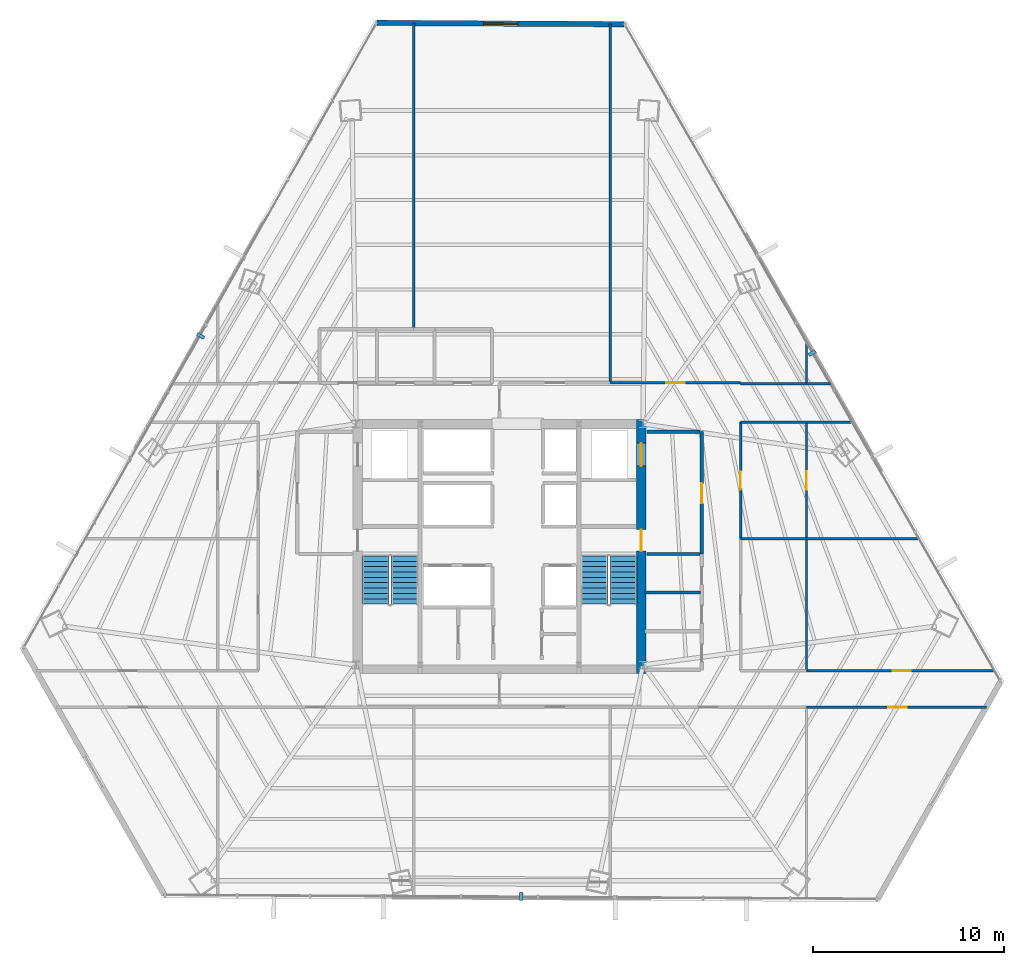
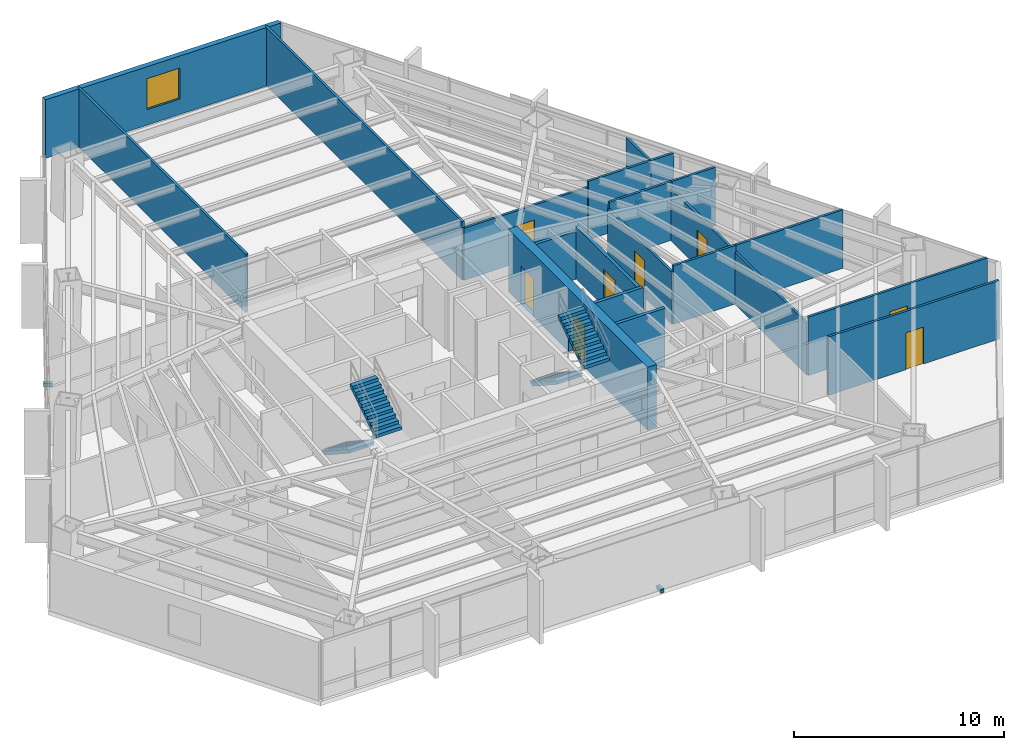
# One storey, part 32 of 35: 21 walls, 8 doors, 4 stair flights, 3 discrete accessories, 1 window, 9 openings, 2 elements without a shape of their own.
"""IFC4 building model written with IfcOpenShell, lengths in metres."""

from ifc_helpers import new_model, si_unit, direction, frame, frame_2d, origin, origin_2d, place, context, subcontext, project, spatial, polyline, rectangle, outline, extrude, source, transform, mapped, material, layer, layer_set, type_object, type_shapes, element, fill, aggregate, save


model = new_model("IFC4")

# Units and contexts
model_context = context("Model", 3, precision=1e-05, world=origin(), true_north=direction((0.0, 1.0)))
body_context = subcontext(model_context, "Body", "Model", "MODEL_VIEW")
ifc_project = project(units=[si_unit("LENGTHUNIT", "METRE"), si_unit("AREAUNIT", "SQUARE_METRE"), si_unit("VOLUMEUNIT", "CUBIC_METRE"), si_unit("PLANEANGLEUNIT", "RADIAN"), si_unit("MASSUNIT", "GRAM", prefix="KILO")], contexts=[model_context])

# Site, building, storey
site_placement = place(None, origin())
site = spatial("IfcSite", under=ifc_project, at=site_placement, CompositionType="ELEMENT")
building_placement = place(site_placement, origin())
building = spatial("IfcBuilding", under=site, at=building_placement, Name="Caelisora Broadcast Tower", CompositionType="ELEMENT")
storey_placement = place(building_placement, frame((0.0, 0.0, 90.800048828125)))
storey = spatial("IfcBuildingStorey", under=building, at=storey_placement, Name="L23", CompositionType="ELEMENT", Elevation=90.800048828125)

# Wall, openings, doors
ifc_material_1 = material(Name="Concrete 50 MPa (AS 3600 S50)", Category="concrete")
ifc_layer_1 = layer(ifc_material_1, 0.5, Name="Concrete 50 MPa (AS 3600 S50)")
ifc_layer_set_1 = layer_set([ifc_layer_1], Name="Concrete 50 MPa (AS 3600 S50)")
wall_type_1 = type_object("IfcWallType", Name="CW2", PredefinedType="SHEAR", material=ifc_layer_set_1)
wall_1_placement = place(storey_placement, frame((45.409912109375, 16.949951171875, 0.0), z_axis=(0.0, 0.0, 1.0), x_axis=(0.0, 1.0, 0.0)))
wall_1 = element("IfcWall", 1, at=wall_1_placement, inside=storey, type_object=wall_type_1, Name="L23 core shear wall CW2", PredefinedType="SHEAR", context=body_context, shape_type="SweptSolid", body=[
    extrude(rectangle(XDim=13.275146484375, YDim=0.5, at=frame_2d((6.6376953125, 0.0))), origin(), (0.0, 0.0, 1.0), 3.64990234375),
])
opening_1_placement = place(wall_1_placement, frame((6.39990234375, 0.0, 0.0)))
opening_1 = element("IfcOpeningElement", 2, at=opening_1_placement, cuts=wall_1, Name="Opening FD04", PredefinedType="OPENING", context=body_context, shape_type="SweptSolid", body=[
    extrude(rectangle(XDim=1.1201171875, YDim=2.14990234375, at=frame_2d((0.56005859375, 1.074951171875))), frame((0.0, 0.261962890625, 0.0), z_axis=(0.0, -1.0, 0.0), x_axis=(1.0, 0.0, 0.0)), (0.0, 0.0, 1.0), 0.52392578125),
])
opening_2_placement = place(wall_1_placement, frame((10.85009765625, 0.0, 0.0)))
opening_2 = element("IfcOpeningElement", 3, at=opening_2_placement, cuts=wall_1, Name="Opening LD04", PredefinedType="OPENING", context=body_context, shape_type="SweptSolid", body=[
    extrude(rectangle(XDim=1.199951171875, YDim=2.199951171875, at=frame_2d((0.60009765625, 1.10009765625))), frame((0.0, 0.261962890625, 0.0), z_axis=(0.0, -1.0, 0.0), x_axis=(1.0, 0.0, 0.0)), (0.0, 0.0, 1.0), 0.52392578125),
])
ifc_material_2 = material(Name="Pressurised Fire-Isolated Stair Door", Category="steel")
door_type_1 = type_object("IfcDoorType", Name="FD04", OperationType="NOTDEFINED", PredefinedType="DOOR", material=ifc_material_2)
door_1_placement = place(opening_1_placement, origin())
door_1 = element("IfcDoor", 4, at=door_1_placement, inside=storey, type_object=door_type_1, Name="L23 door FD04 (L23-DR-ST2)", OperationType="SINGLE_SWING_RIGHT", OverallHeight=2.14990234375, OverallWidth=1.1201171875, PredefinedType="DOOR", context=body_context, shape_type="SweptSolid", body=[
    extrude(rectangle(XDim=1.1201171875, YDim=2.14990234375, at=frame_2d((0.56005859375, 1.074951171875))), frame((0.0, 0.02490234375, 0.0), z_axis=(0.0, -1.0, 0.0), x_axis=(1.0, 0.0, 0.0)), (0.0, 0.0, 1.0), 0.050048828125),
])
fill(opening_1, door_1)
ifc_material_3 = material(Name="Emergency Firefighting Lift Sliding Landing Door", Category="steel")
door_type_2 = type_object("IfcDoorType", Name="LD04", OperationType="NOTDEFINED", PredefinedType="DOOR", material=ifc_material_3)
door_2_placement = place(opening_2_placement, origin())
door_2 = element("IfcDoor", 5, at=door_2_placement, inside=storey, type_object=door_type_2, Name="L23 door LD04 (L23-LD-FFL2)", OperationType="SLIDING_TO_RIGHT", OverallHeight=2.199951171875, OverallWidth=1.199951171875, PredefinedType="DOOR", context=body_context, shape_type="SweptSolid", body=[
    extrude(rectangle(XDim=1.199951171875, YDim=2.199951171875, at=frame_2d((0.60009765625, 1.10009765625))), frame((0.0, 0.02490234375, 0.0), z_axis=(0.0, -1.0, 0.0), x_axis=(1.0, 0.0, 0.0)), (0.0, 0.0, 1.0), 0.050048828125),
])
fill(opening_2, door_2)

# Wall, opening, window
ifc_material_4 = material(Name="Insulated Terracotta Spandrel Wall System", Category="masonry")
ifc_layer_2 = layer(ifc_material_4, 0.280029296875, Name="Insulated Terracotta Spandrel Wall System")
ifc_layer_set_2 = layer_set([ifc_layer_2], Name="Insulated Terracotta Spandrel Wall System")
wall_type_2 = type_object("IfcWallType", Name="EW1", PredefinedType="STANDARD", material=ifc_layer_set_2)
wall_2_placement = place(storey_placement, frame((31.60693359375, 50.9677734375, 0.0), z_axis=(0.0, 0.0, 1.0), x_axis=(0.999984652182, -0.005540343073, 0.0)))
wall_2 = element("IfcWall", 6, at=wall_2_placement, inside=storey, type_object=wall_type_2, Name="L23 exterior envelope wall EW1", PredefinedType="STANDARD", context=body_context, shape_type="SweptSolid", body=[
    extrude(rectangle(XDim=12.911376953125, YDim=0.280029296875, at=frame_2d((6.45556640625, 0.0))), origin(), (0.0, 0.0, 1.0), 3.39990234375),
])
opening_3_placement = place(wall_2_placement, frame((5.56005859375, 0.0, 0.89990234375)))
opening_3 = element("IfcOpeningElement", 7, at=opening_3_placement, cuts=wall_2, Name="Opening W01", PredefinedType="OPENING", context=body_context, shape_type="SweptSolid", body=[
    extrude(rectangle(XDim=1.800048828125, YDim=1.800048828125, at=frame_2d((0.89990234375, 0.89990234375))), frame((0.0, 0.152099609375, 0.0), z_axis=(0.0, -1.0, 0.0), x_axis=(1.0, 0.0, 0.0)), (0.0, 0.0, 1.0), 0.303955078125),
])
ifc_material_5 = material(Name="Double Glazed Terracotta-Framed Vision Window", Category="glass")
window_type = type_object("IfcWindowType", Name="W01", PartitioningType="SINGLE_PANEL", PredefinedType="WINDOW", material=ifc_material_5)
window_placement = place(opening_3_placement, origin())
window = element("IfcWindow", 8, at=window_placement, inside=storey, type_object=window_type, Name="L23 window W01 (L23-WN-CH8)", OverallHeight=1.800048828125, OverallWidth=1.800048828125, PartitioningType="SINGLE_PANEL", PredefinedType="WINDOW", context=body_context, shape_type="SweptSolid", body=[
    extrude(rectangle(XDim=1.800048828125, YDim=1.800048828125, at=frame_2d((0.89990234375, 0.89990234375))), frame((0.0, 0.030029296875, 0.0), z_axis=(0.0, -1.0, 0.0), x_axis=(1.0, 0.0, 0.0)), (0.0, 0.0, 1.0), 0.06005859375),
])
fill(opening_3, window)

# Wall, opening, door
ifc_material_6 = material(Name="Fire-Rated Gypsum Shaft and Compartment Wall", Category="gypsum")
ifc_layer_3 = layer(ifc_material_6, 0.179931640625, Name="Fire-Rated Gypsum Shaft and Compartment Wall")
ifc_layer_set_3 = layer_set([ifc_layer_3], Name="Fire-Rated Gypsum Shaft and Compartment Wall")
wall_type_3 = type_object("IfcWallType", Name="PW2", PredefinedType="PARTITIONING", material=ifc_layer_set_3)
wall_3_placement = place(storey_placement, frame((48.580078125, 23.199951171875, 0.0), z_axis=(0.0, 0.0, 1.0), x_axis=(0.0, 1.0, 0.0)))
wall_3 = element("IfcWall", 9, at=wall_3_placement, inside=storey, type_object=wall_type_3, Name="L23 fire compartment wall PW2", PredefinedType="PARTITIONING", context=body_context, shape_type="SweptSolid", body=[
    extrude(rectangle(XDim=6.400146484375, YDim=0.179931640625, at=frame_2d((3.2001953125, 0.0))), origin(), (0.0, 0.0, 1.0), 3.0263671875),
])
opening_4_placement = place(wall_3_placement, frame((2.64990234375, 0.0, 0.0)))
opening_4 = element("IfcOpeningElement", 10, at=opening_4_placement, cuts=wall_3, Name="Opening FD02", PredefinedType="OPENING", context=body_context, shape_type="SweptSolid", body=[
    extrude(rectangle(XDim=1.050048828125, YDim=2.14990234375, at=frame_2d((0.52490234375, 1.074951171875))), frame((0.0, 0.10205078125, 0.0), z_axis=(0.0, -1.0, 0.0), x_axis=(1.0, 0.0, 0.0)), (0.0, 0.0, 1.0), 0.203857421875),
])
ifc_material_7 = material(Name="Single-Leaf Steel Fire Lobby Door", Category="steel")
door_type_3 = type_object("IfcDoorType", Name="FD02", OperationType="NOTDEFINED", PredefinedType="DOOR", material=ifc_material_7)
door_3_placement = place(opening_4_placement, origin())
door_3 = element("IfcDoor", 11, at=door_3_placement, inside=storey, type_object=door_type_3, Name="L23 door FD02 (L23-DR-P04D1)", OperationType="SINGLE_SWING_LEFT", OverallHeight=2.14990234375, OverallWidth=1.050048828125, PredefinedType="DOOR", context=body_context, shape_type="SweptSolid", body=[
    extrude(rectangle(XDim=1.050048828125, YDim=2.14990234375, at=frame_2d((0.52490234375, 1.074951171875))), frame((0.0, 0.02490234375, 0.0), z_axis=(0.0, -1.0, 0.0), x_axis=(1.0, 0.0, 0.0)), (0.0, 0.0, 1.0), 0.050048828125),
])
fill(opening_4, door_3)

# Walls
wall_4_placement = place(storey_placement, frame((45.719970703125, 23.199951171875, 0.0), z_axis=(0.0, 0.0, 1.0), x_axis=(1.0, 0.0, 0.0)))
element("IfcWall", 12, at=wall_4_placement, inside=storey, type_object=wall_type_3, Name="L23 fire compartment wall PW2", PredefinedType="PARTITIONING", context=body_context, shape_type="SweptSolid", body=[
    extrude(rectangle(XDim=2.760009765625, YDim=0.179931640625, at=frame_2d((1.3798828125, 0.0))), origin(), (0.0, 0.0, 1.0), 3.39990234375),
])
wall_5_placement = place(storey_placement, frame((45.719970703125, 29.60009765625, 0.0), z_axis=(0.0, 0.0, 1.0), x_axis=(1.0, 0.0, 0.0)))
element("IfcWall", 13, at=wall_5_placement, inside=storey, type_object=wall_type_3, Name="L23 fire compartment wall PW2", PredefinedType="PARTITIONING", context=body_context, shape_type="SweptSolid", body=[
    extrude(rectangle(XDim=2.760009765625, YDim=0.179931640625, at=frame_2d((1.3798828125, 0.0))), origin(), (0.0, 0.0, 1.0), 2.78271484375),
])
wall_6_placement = place(storey_placement, frame((45.6201171875, 21.18994140625, 0.0), z_axis=(0.0, 0.0, 1.0), x_axis=(1.0, 0.0, 0.0)))
element("IfcWall", 14, at=wall_6_placement, inside=storey, type_object=wall_type_3, Name="L23 fire compartment wall PW2", PredefinedType="PARTITIONING", context=body_context, shape_type="SweptSolid", body=[
    extrude(rectangle(XDim=2.89990234375, YDim=0.179931640625, at=frame_2d((1.449951171875, 0.0))), origin(), (0.0, 0.0, 1.0), 3.39990234375),
])
ifc_material_8 = material(Name="Acoustic Steel-Stud Plasterboard Partition", Category="gypsum")
ifc_layer_4 = layer(ifc_material_8, 0.1298828125, Name="Acoustic Steel-Stud Plasterboard Partition")
ifc_layer_set_4 = layer_set([ifc_layer_4], Name="Acoustic Steel-Stud Plasterboard Partition")
wall_type_4 = type_object("IfcWallType", Name="PW3", PredefinedType="PARTITIONING", material=ifc_layer_set_4)
wall_7_placement = place(storey_placement, frame((43.7900390625, 32.155029296875, 0.0), z_axis=(0.0, 0.0, 1.0), x_axis=(0.0, 1.0, 0.0)))
element("IfcWall", 15, at=wall_7_placement, inside=storey, type_object=wall_type_4, Name="L23 internal partition PW3", PredefinedType="PARTITIONING", context=body_context, shape_type="SweptSolid", body=[
    extrude(rectangle(XDim=18.75048828125, YDim=0.1298828125, at=frame_2d((9.375244140625, 0.0))), origin(), (0.0, 0.0, 1.0), 3.39990234375),
])
wall_8_placement = place(storey_placement, frame((33.52001953125, 34.955078125, 0.0), z_axis=(0.0, 0.0, 1.0), x_axis=(0.0, 1.0, 0.0)))
element("IfcWall", 16, at=wall_8_placement, inside=storey, type_object=wall_type_4, Name="L23 internal partition PW3", PredefinedType="PARTITIONING", context=body_context, shape_type="SweptSolid", body=[
    extrude(rectangle(XDim=16.0068359375, YDim=0.1298828125, at=frame_2d((8.00341796875, 0.0))), origin(), (0.0, 0.0, 1.0), 3.39990234375),
])

# Wall, opening, door
wall_9_placement = place(storey_placement, frame((54.054931640625, 17.10009765625, 0.0), z_axis=(0.0, 0.0, 1.0), x_axis=(1.0, 0.0, 0.0)))
wall_9 = element("IfcWall", 17, at=wall_9_placement, inside=storey, type_object=wall_type_4, Name="L23 internal partition PW3", PredefinedType="PARTITIONING", context=body_context, shape_type="SweptSolid", body=[
    extrude(rectangle(XDim=9.832763671875, YDim=0.1298828125, at=frame_2d((4.91650390625, 0.0))), origin(), (0.0, 0.0, 1.0), 3.39990234375),
])
opening_5_placement = place(wall_9_placement, frame((4.491943359375, 0.0, 0.0)))
opening_5 = element("IfcOpeningElement", 18, at=opening_5_placement, cuts=wall_9, Name="Opening D01", PredefinedType="OPENING", context=body_context, shape_type="SweptSolid", body=[
    extrude(rectangle(XDim=0.9599609375, YDim=2.14990234375, at=frame_2d((0.47998046875, 1.074951171875))), frame((0.0, 0.076904296875, 0.0), z_axis=(0.0, -1.0, 0.0), x_axis=(1.0, 0.0, 0.0)), (0.0, 0.0, 1.0), 0.15380859375),
])
ifc_material_9 = material(Name="Solid-Core Timber Acoustic Office Door", Category="wood")
door_type_4 = type_object("IfcDoorType", Name="D01", OperationType="NOTDEFINED", PredefinedType="DOOR", material=ifc_material_9)
door_4_placement = place(opening_5_placement, origin())
door_4 = element("IfcDoor", 19, at=door_4_placement, inside=storey, type_object=door_type_4, Name="L23 door D01 (L23-DR-P37D1)", OperationType="SINGLE_SWING_RIGHT", OverallHeight=2.14990234375, OverallWidth=0.9599609375, PredefinedType="DOOR", context=body_context, shape_type="SweptSolid", body=[
    extrude(rectangle(XDim=0.9599609375, YDim=2.14990234375, at=frame_2d((0.47998046875, 1.074951171875))), frame((0.0, 0.02490234375, 0.0), z_axis=(0.0, -1.0, 0.0), x_axis=(1.0, 0.0, 0.0)), (0.0, 0.0, 1.0), 0.050048828125),
])
fill(opening_5, door_4)

wall_10_placement = place(storey_placement, frame((54.054931640625, 15.199951171875, 0.0), z_axis=(0.0, 0.0, 1.0), x_axis=(1.0, 0.0, 0.0)))
wall_10 = element("IfcWall", 20, at=wall_10_placement, inside=storey, type_object=wall_type_4, Name="L23 internal partition PW3", PredefinedType="PARTITIONING", context=body_context, shape_type="SweptSolid", body=[
    extrude(rectangle(XDim=9.396728515625, YDim=0.1298828125, at=frame_2d((4.6982421875, 0.0))), origin(), (0.0, 0.0, 1.0), 3.39990234375),
])
opening_6_placement = place(wall_10_placement, frame((4.27294921875, 0.0, 0.0)))
opening_6 = element("IfcOpeningElement", 21, at=opening_6_placement, cuts=wall_10, Name="Opening D01", PredefinedType="OPENING", context=body_context, shape_type="SweptSolid", body=[
    extrude(rectangle(XDim=0.9599609375, YDim=2.14990234375, at=frame_2d((0.47998046875, 1.074951171875))), frame((0.0, 0.076904296875, 0.0), z_axis=(0.0, -1.0, 0.0), x_axis=(1.0, 0.0, 0.0)), (0.0, 0.0, 1.0), 0.15380859375),
])
door_5_placement = place(opening_6_placement, origin())
door_5 = element("IfcDoor", 22, at=door_5_placement, inside=storey, type_object=door_type_4, Name="L23 door D01 (L23-DR-P40D1)", OperationType="SINGLE_SWING_RIGHT", OverallHeight=2.14990234375, OverallWidth=0.9599609375, PredefinedType="DOOR", context=body_context, shape_type="SweptSolid", body=[
    extrude(rectangle(XDim=0.9599609375, YDim=2.14990234375, at=frame_2d((0.47998046875, 1.074951171875))), frame((0.0, 0.02490234375, 0.0), z_axis=(0.0, -1.0, 0.0), x_axis=(1.0, 0.0, 0.0)), (0.0, 0.0, 1.0), 0.050048828125),
])
fill(opening_6, door_5)

# Wall
wall_11_placement = place(storey_placement, frame((54.050048828125, 17.10498046875, 0.0), z_axis=(0.0, 0.0, 1.0), x_axis=(0.0, 1.0, 0.0)))
element("IfcWall", 23, at=wall_11_placement, inside=storey, type_object=wall_type_4, Name="L23 internal partition PW3", PredefinedType="PARTITIONING", context=body_context, shape_type="SweptSolid", body=[
    extrude(rectangle(XDim=6.89013671875, YDim=0.1298828125, at=frame_2d((3.445068359375, 0.0))), origin(), (0.0, 0.0, 1.0), 3.0263671875),
])

# Wall, opening, door
wall_12_placement = place(storey_placement, frame((43.794921875, 32.14990234375, 0.0), z_axis=(0.0, 0.0, 1.0), x_axis=(1.0, 0.0, 0.0)))
wall_12 = element("IfcWall", 24, at=wall_12_placement, inside=storey, type_object=wall_type_4, Name="L23 internal partition PW3", PredefinedType="PARTITIONING", context=body_context, shape_type="SweptSolid", body=[
    extrude(rectangle(XDim=6.800048828125, YDim=0.1298828125, at=frame_2d((3.39990234375, 0.0))), origin(), (0.0, 0.0, 1.0), 3.0263671875),
])
opening_7_placement = place(wall_12_placement, frame((2.919921875, 0.0, 0.0)))
opening_7 = element("IfcOpeningElement", 25, at=opening_7_placement, cuts=wall_12, Name="Opening D01", PredefinedType="OPENING", context=body_context, shape_type="SweptSolid", body=[
    extrude(rectangle(XDim=0.9599609375, YDim=2.14990234375, at=frame_2d((0.47998046875, 1.074951171875))), frame((0.0, 0.076904296875, 0.0), z_axis=(0.0, -1.0, 0.0), x_axis=(1.0, 0.0, 0.0)), (0.0, 0.0, 1.0), 0.15380859375),
])
door_6_placement = place(opening_7_placement, origin())
door_6 = element("IfcDoor", 26, at=door_6_placement, inside=storey, type_object=door_type_4, Name="L23 door D01 (L23-DR-P47D1)", OperationType="SINGLE_SWING_RIGHT", OverallHeight=2.14990234375, OverallWidth=0.9599609375, PredefinedType="DOOR", context=body_context, shape_type="SweptSolid", body=[
    extrude(rectangle(XDim=0.9599609375, YDim=2.14990234375, at=frame_2d((0.47998046875, 1.074951171875))), frame((0.0, 0.02490234375, 0.0), z_axis=(0.0, -1.0, 0.0), x_axis=(1.0, 0.0, 0.0)), (0.0, 0.0, 1.0), 0.050048828125),
])
fill(opening_7, door_6)

wall_13_placement = place(storey_placement, frame((50.60009765625, 24.0048828125, 0.0), z_axis=(0.0, 0.0, 1.0), x_axis=(0.0, 1.0, 0.0)))
wall_13 = element("IfcWall", 27, at=wall_13_placement, inside=storey, type_object=wall_type_4, Name="L23 internal partition PW3", PredefinedType="PARTITIONING", context=body_context, shape_type="SweptSolid", body=[
    extrude(rectangle(XDim=6.090087890625, YDim=0.1298828125, at=frame_2d((3.044921875, 0.0))), origin(), (0.0, 0.0, 1.0), 3.0263671875),
])
opening_8_placement = place(wall_13_placement, frame((2.56494140625, 0.0, 0.0)))
opening_8 = element("IfcOpeningElement", 28, at=opening_8_placement, cuts=wall_13, Name="Opening D01", PredefinedType="OPENING", context=body_context, shape_type="SweptSolid", body=[
    extrude(rectangle(XDim=0.9599609375, YDim=2.14990234375, at=frame_2d((0.47998046875, 1.074951171875))), frame((0.0, 0.076904296875, 0.0), z_axis=(0.0, -1.0, 0.0), x_axis=(1.0, 0.0, 0.0)), (0.0, 0.0, 1.0), 0.15380859375),
])
door_7_placement = place(opening_8_placement, origin())
door_7 = element("IfcDoor", 29, at=door_7_placement, inside=storey, type_object=door_type_4, Name="L23 door D01 (L23-DR-P49D1)", OperationType="SINGLE_SWING_RIGHT", OverallHeight=2.14990234375, OverallWidth=0.9599609375, PredefinedType="DOOR", context=body_context, shape_type="SweptSolid", body=[
    extrude(rectangle(XDim=0.9599609375, YDim=2.14990234375, at=frame_2d((0.47998046875, 1.074951171875))), frame((0.0, 0.02490234375, 0.0), z_axis=(0.0, -1.0, 0.0), x_axis=(1.0, 0.0, 0.0)), (0.0, 0.0, 1.0), 0.050048828125),
])
fill(opening_8, door_7)

wall_14_placement = place(storey_placement, frame((54.050048828125, 24.0048828125, 0.0), z_axis=(0.0, 0.0, 1.0), x_axis=(0.0, 1.0, 0.0)))
wall_14 = element("IfcWall", 30, at=wall_14_placement, inside=storey, type_object=wall_type_4, Name="L23 internal partition PW3", PredefinedType="PARTITIONING", context=body_context, shape_type="SweptSolid", body=[
    extrude(rectangle(XDim=6.090087890625, YDim=0.1298828125, at=frame_2d((3.044921875, 0.0))), origin(), (0.0, 0.0, 1.0), 3.0263671875),
])
opening_9_placement = place(wall_14_placement, frame((2.56494140625, 0.0, 0.0)))
opening_9 = element("IfcOpeningElement", 31, at=opening_9_placement, cuts=wall_14, Name="Opening D01", PredefinedType="OPENING", context=body_context, shape_type="SweptSolid", body=[
    extrude(rectangle(XDim=0.9599609375, YDim=2.14990234375, at=frame_2d((0.47998046875, 1.074951171875))), frame((0.0, 0.076904296875, 0.0), z_axis=(0.0, -1.0, 0.0), x_axis=(1.0, 0.0, 0.0)), (0.0, 0.0, 1.0), 0.15380859375),
])
door_8_placement = place(opening_9_placement, origin())
door_8 = element("IfcDoor", 32, at=door_8_placement, inside=storey, type_object=door_type_4, Name="L23 door D01 (L23-DR-P50D1)", OperationType="SINGLE_SWING_LEFT", OverallHeight=2.14990234375, OverallWidth=0.9599609375, PredefinedType="DOOR", context=body_context, shape_type="SweptSolid", body=[
    extrude(rectangle(XDim=0.9599609375, YDim=2.14990234375, at=frame_2d((0.47998046875, 1.074951171875))), frame((0.0, 0.02490234375, 0.0), z_axis=(0.0, -1.0, 0.0), x_axis=(1.0, 0.0, 0.0)), (0.0, 0.0, 1.0), 0.050048828125),
])
fill(opening_9, door_8)

# Walls
wall_15_placement = place(storey_placement, frame((54.054931640625, 24.0, 0.0), z_axis=(0.0, 0.0, 1.0), x_axis=(1.0, 0.0, 0.0)))
element("IfcWall", 33, at=wall_15_placement, inside=storey, type_object=wall_type_4, Name="L23 internal partition PW3", PredefinedType="PARTITIONING", context=body_context, shape_type="SweptSolid", body=[
    extrude(rectangle(XDim=5.88525390625, YDim=0.1298828125, at=frame_2d((2.942626953125, 0.0))), origin(), (0.0, 0.0, 1.0), 3.39990234375),
])
for number, where, z_axis, x_axis, name in (
    (34, (50.60498046875, 32.10009765625, 0.0), (0.0, 0.0, 1.0), (1.0, 0.0, 0.0), "L23 internal partition PW3"),
    (35, (50.60498046875, 30.10009765625, 0.0), (0.0, 0.0, 1.0), (1.0, 0.0, 0.0), "L23 internal partition PW3"),
    (36, (50.60498046875, 24.0, 0.0), (0.0, 0.0, 1.0), (1.0, 0.0, 0.0), "L23 internal partition PW3"),
):
    element("IfcWall", number, at=place(storey_placement, frame(where, z_axis=z_axis, x_axis=x_axis)), inside=storey, type_object=wall_type_4, Name=name, PredefinedType="PARTITIONING", context=body_context, shape_type="SweptSolid", body=[
        extrude(rectangle(XDim=3.43994140625, YDim=0.1298828125, at=frame_2d((1.719970703125, 0.0))), origin(), (0.0, 0.0, 1.0), 3.39990234375),
    ])
wall_16_placement = place(storey_placement, frame((54.054931640625, 30.10009765625, 0.0), z_axis=(0.0, 0.0, 1.0), x_axis=(1.0, 0.0, 0.0)))
element("IfcWall", 37, at=wall_16_placement, inside=storey, type_object=wall_type_4, Name="L23 internal partition PW3", PredefinedType="PARTITIONING", context=body_context, shape_type="SweptSolid", body=[
    extrude(rectangle(XDim=2.395751953125, YDim=0.1298828125, at=frame_2d((1.19775390625, 0.0))), origin(), (0.0, 0.0, 1.0), 3.39990234375),
])
wall_17_placement = place(storey_placement, frame((54.050048828125, 34.29638671875, 0.0), z_axis=(0.0, 0.0, 1.0), x_axis=(0.0, -1.0, 0.0)))
element("IfcWall", 38, at=wall_17_placement, inside=storey, type_object=wall_type_4, Name="L23 internal partition PW3", PredefinedType="PARTITIONING", context=body_context, shape_type="SweptSolid", body=[
    extrude(rectangle(XDim=2.19140625, YDim=0.1298828125, at=frame_2d((1.095703125, 0.0))), origin(), (0.0, 0.0, 1.0), 3.39990234375),
])
wall_18_placement = place(storey_placement, frame((54.054931640625, 32.10009765625, 0.0), z_axis=(0.0, 0.0, 1.0), x_axis=(1.0, 0.0, 0.0)))
element("IfcWall", 39, at=wall_18_placement, inside=storey, type_object=wall_type_4, Name="L23 internal partition PW3", PredefinedType="PARTITIONING", context=body_context, shape_type="SweptSolid", body=[
    extrude(rectangle(XDim=1.25146484375, YDim=0.1298828125, at=frame_2d((0.625732421875, 0.0))), origin(), (0.0, 0.0, 1.0), 3.39990234375),
])

# Stair, stair flights
ifc_material_10 = material(Name="Concrete 40 MPa (AS 3600 N40)", Category="concrete")
stair_type_1 = type_object("IfcStairType", Name="ST-1", PredefinedType="HALF_TURN_STAIR", material=ifc_material_10)
stair_1_placement = place(storey_placement, origin())
stair_1 = element("IfcStair", 40, at=stair_1_placement, inside=storey, type_object=stair_type_1, Name="L23 West Fire-Isolated Tower Stair", PredefinedType="HALF_TURN_STAIR")
stair_flight_type = type_object("IfcStairFlightType", Name="STF-2", PredefinedType="STRAIGHT", material=ifc_material_10)
stair_flight_1_placement = place(storey_placement, frame((31.52001953125, 23.10009765625, 0.0), z_axis=(0.0, 0.0, 1.0), x_axis=(0.0, -1.0, 0.0)))
stair_flight_1 = element("IfcStairFlight", 41, at=stair_flight_1_placement, type_object=stair_flight_type, Name="ST-1 flight 1", NumberOfRisers=10, NumberOfTreads=9, PredefinedType="STRAIGHT", RiserHeight=0.1825, TreadLength=0.28, context=body_context, shape_type="SweptSolid", body=[
    extrude(outline(polyline([(0.0, 0.0), (0.0, 0.1826171875), (0.280029296875, 0.1826171875), (0.280029296875, 0.364990234375), (0.56005859375, 0.364990234375), (0.56005859375, 0.547607421875), (0.840087890625, 0.547607421875), (0.840087890625, 0.72998046875), (1.1201171875, 0.72998046875), (1.1201171875, 0.91259765625), (1.39990234375, 0.91259765625), (1.39990234375, 1.094970703125), (1.679931640625, 1.094970703125), (1.679931640625, 1.277587890625), (1.9599609375, 1.277587890625), (1.9599609375, 1.4599609375), (2.239990234375, 1.4599609375), (2.239990234375, 1.642578125), (2.52001953125, 1.642578125), (2.52001953125, 1.824951171875), (2.52001953125, 1.463623046875), (0.2744140625, 0.0), (0.0, 0.0)])), frame((0.0, 0.699951171875, 0.0), z_axis=(0.0, -1.0, 0.0), x_axis=(1.0, 0.0, 0.0)), (0.0, 0.0, 1.0), 1.39990234375),
])
stair_flight_2_placement = place(storey_placement, frame((33.0400390625, 20.580078125, 1.824951171875), z_axis=(0.0, 0.0, 1.0), x_axis=(0.0, 1.0, 0.0)))
stair_flight_2 = element("IfcStairFlight", 42, at=stair_flight_2_placement, type_object=stair_flight_type, Name="ST-1 flight 2", NumberOfRisers=10, NumberOfTreads=9, PredefinedType="STRAIGHT", RiserHeight=0.1825, TreadLength=0.28, context=body_context, shape_type="SweptSolid", body=[
    extrude(outline(polyline([(0.0, 0.0), (0.0, 0.1826171875), (0.280029296875, 0.1826171875), (0.280029296875, 0.364990234375), (0.56005859375, 0.364990234375), (0.56005859375, 0.547607421875), (0.840087890625, 0.547607421875), (0.840087890625, 0.72998046875), (1.1201171875, 0.72998046875), (1.1201171875, 0.91259765625), (1.39990234375, 0.91259765625), (1.39990234375, 1.094970703125), (1.679931640625, 1.094970703125), (1.679931640625, 1.277587890625), (1.9599609375, 1.277587890625), (1.9599609375, 1.4599609375), (2.239990234375, 1.4599609375), (2.239990234375, 1.642578125), (2.52001953125, 1.642578125), (2.52001953125, 1.824951171875), (2.52001953125, 1.463623046875), (0.2744140625, 0.0), (0.0, 0.0)])), frame((0.0, 0.699951171875, 0.0), z_axis=(0.0, -1.0, 0.0), x_axis=(1.0, 0.0, 0.0)), (0.0, 0.0, 1.0), 1.39990234375),
])
aggregate(stair_1, [stair_flight_1, stair_flight_2])

stair_type_2 = type_object("IfcStairType", Name="ST-2", PredefinedType="HALF_TURN_STAIR", material=ifc_material_10)
stair_2_placement = place(storey_placement, origin())
stair_2 = element("IfcStair", 43, at=stair_2_placement, inside=storey, type_object=stair_type_2, Name="L23 East Fire-Isolated Tower Stair", PredefinedType="HALF_TURN_STAIR")
stair_flight_3_placement = place(storey_placement, frame((42.9599609375, 23.10009765625, 0.0), z_axis=(0.0, 0.0, 1.0), x_axis=(0.0, -1.0, 0.0)))
stair_flight_3 = element("IfcStairFlight", 44, at=stair_flight_3_placement, type_object=stair_flight_type, Name="ST-2 flight 1", NumberOfRisers=10, NumberOfTreads=9, PredefinedType="STRAIGHT", RiserHeight=0.1825, TreadLength=0.28, context=body_context, shape_type="SweptSolid", body=[
    extrude(outline(polyline([(0.0, 0.0), (0.0, 0.1826171875), (0.280029296875, 0.1826171875), (0.280029296875, 0.364990234375), (0.56005859375, 0.364990234375), (0.56005859375, 0.547607421875), (0.840087890625, 0.547607421875), (0.840087890625, 0.72998046875), (1.1201171875, 0.72998046875), (1.1201171875, 0.91259765625), (1.39990234375, 0.91259765625), (1.39990234375, 1.094970703125), (1.679931640625, 1.094970703125), (1.679931640625, 1.277587890625), (1.9599609375, 1.277587890625), (1.9599609375, 1.4599609375), (2.239990234375, 1.4599609375), (2.239990234375, 1.642578125), (2.52001953125, 1.642578125), (2.52001953125, 1.824951171875), (2.52001953125, 1.463623046875), (0.2744140625, 0.0), (0.0, 0.0)])), frame((0.0, 0.699951171875, 0.0), z_axis=(0.0, -1.0, 0.0), x_axis=(1.0, 0.0, 0.0)), (0.0, 0.0, 1.0), 1.39990234375),
])
stair_flight_4_placement = place(storey_placement, frame((44.47998046875, 20.580078125, 1.824951171875), z_axis=(0.0, 0.0, 1.0), x_axis=(0.0, 1.0, 0.0)))
stair_flight_4 = element("IfcStairFlight", 45, at=stair_flight_4_placement, type_object=stair_flight_type, Name="ST-2 flight 2", NumberOfRisers=10, NumberOfTreads=9, PredefinedType="STRAIGHT", RiserHeight=0.1825, TreadLength=0.28, context=body_context, shape_type="SweptSolid", body=[
    extrude(outline(polyline([(0.0, 0.0), (0.0, 0.1826171875), (0.280029296875, 0.1826171875), (0.280029296875, 0.364990234375), (0.56005859375, 0.364990234375), (0.56005859375, 0.547607421875), (0.840087890625, 0.547607421875), (0.840087890625, 0.72998046875), (1.1201171875, 0.72998046875), (1.1201171875, 0.91259765625), (1.39990234375, 0.91259765625), (1.39990234375, 1.094970703125), (1.679931640625, 1.094970703125), (1.679931640625, 1.277587890625), (1.9599609375, 1.277587890625), (1.9599609375, 1.4599609375), (2.239990234375, 1.4599609375), (2.239990234375, 1.642578125), (2.52001953125, 1.642578125), (2.52001953125, 1.824951171875), (2.52001953125, 1.463623046875), (0.2744140625, 0.0), (0.0, 0.0)])), frame((0.0, 0.699951171875, 0.0), z_axis=(0.0, -1.0, 0.0), x_axis=(1.0, 0.0, 0.0)), (0.0, 0.0, 1.0), 1.39990234375),
])
aggregate(stair_2, [stair_flight_3, stair_flight_4])

# Discrete accessories
ifc_material_11 = material(Name="Steel Grade 350 (AS/NZS 3679.1)", Category="steel")
discrete_accessory_type = type_object("IfcDiscreteAccessoryType", Name="BRK-1", PredefinedType="BRACKET", material=ifc_material_11)
shared_shape = source(origin(), body_context, "Body", "SweptSolid", [
    extrude(rectangle(XDim=0.179931640625, YDim=0.419921875, at=origin_2d()), origin(), (0.0, 0.0, 1.0), 0.219970703125),
])
type_shapes(discrete_accessory_type, [shared_shape])
for number, where, z_axis, x_axis, name in (
    (46, (22.3681640625, 34.60107421875, -0.16015625), (0.0, 0.0, 1.0), (-0.49181581725, -0.870699260309, 0.0), "L23 solar screen outrigger bracket #1"),
    (47, (39.1298828125, 5.297607421875, -0.16015625), (0.0, 0.0, 1.0), (0.999984403629, -0.005585024571, 0.0), "L23 solar screen outrigger bracket #2"),
    (48, (54.348876953125, 33.70361328125, -0.16015625), (0.0, 0.0, 1.0), (-0.496519531995, 0.868025549363, 0.0), "L23 solar screen outrigger bracket #3"),
):
    element("IfcDiscreteAccessory", number, at=place(storey_placement, frame(where, z_axis=z_axis, x_axis=x_axis)), inside=storey, type_object=discrete_accessory_type, Name=name, PredefinedType="BRACKET", context=body_context, shape_type="MappedRepresentation", body=[
        mapped(shared_shape, transform((0.0, 0.0, 0.0), scale=1.0)),
    ])

save(model, "model.ifc")
